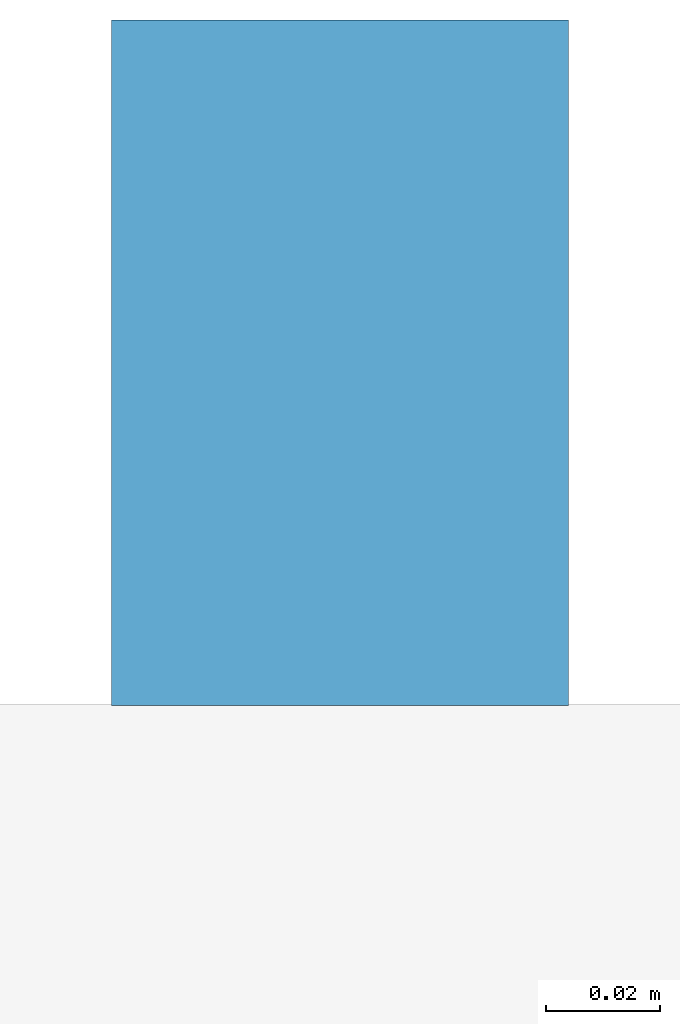
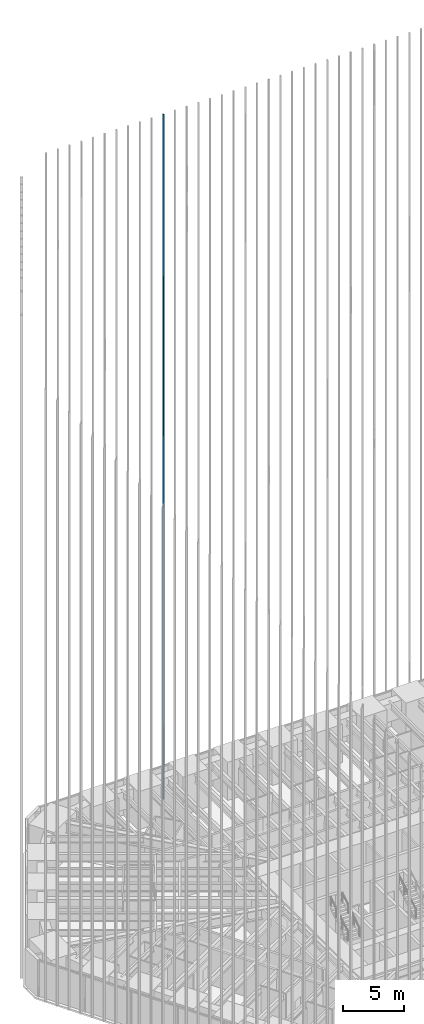
# One storey, part 179 of 256: 1 member, 1 element without a shape of its own.
"""IFC4 building model written with IfcOpenShell, lengths in metres."""

from ifc_helpers import new_model, si_unit, direction, frame, origin, origin_2d, place, context, subcontext, project, spatial, rectangle, extrude, material, material_profile, profile_set, type_object, element, aggregate, save


model = new_model("IFC4")

# Units and contexts
model_context = context("Model", 3, precision=1e-05, world=origin(), true_north=direction((0.0, 1.0)))
body_context = subcontext(model_context, "Body", "Model", "MODEL_VIEW")
ifc_project = project(units=[si_unit("LENGTHUNIT", "METRE"), si_unit("AREAUNIT", "SQUARE_METRE"), si_unit("VOLUMEUNIT", "CUBIC_METRE"), si_unit("PLANEANGLEUNIT", "RADIAN"), si_unit("MASSUNIT", "GRAM", prefix="KILO")], contexts=[model_context])

# Site, building, storey
site_placement = place(None, origin())
site = spatial("IfcSite", under=ifc_project, at=site_placement, CompositionType="ELEMENT")
building_placement = place(site_placement, origin())
building = spatial("IfcBuilding", under=site, at=building_placement, Name="Sandreach Pilgrim Tower", CompositionType="ELEMENT")
storey_placement = place(building_placement, frame((0.0, 0.0, 23.0)))
storey = spatial("IfcBuildingStorey", under=building, at=storey_placement, Name="L04", CompositionType="ELEMENT", Elevation=23.0)

# Curtain wall, member
ifc_material_1 = material(Name="Aluminium framed curtain wall", Category="aluminium")
curtain_wall_type = type_object("IfcCurtainWallType", Name="Hostel tower curtain wall", PredefinedType="NOTDEFINED", material=ifc_material_1)
curtain_wall_placement = place(storey_placement, origin())
curtain_wall = element("IfcCurtainWall", 1, at=curtain_wall_placement, inside=storey, type_object=curtain_wall_type, Name="CW-1 L04 N", PredefinedType="NOTDEFINED")
ifc_material_2 = material(Name="Extruded terracotta on aluminium core", Category="masonry")
ifc_material_profile = material_profile(ifc_material_2, rectangle(XDim=0.080078125, YDim=0.1201171875, at=origin_2d()), Name="TBN 80X120")
ifc_profile_set = profile_set([ifc_material_profile], Name="Extruded terracotta on aluminium core")
member_type = type_object("IfcMemberType", Name="Terracotta baguette north", PredefinedType="USERDEFINED", material=ifc_profile_set)
member_placement = place(storey_placement, frame((-7.731201171875, 24.30859375, 0.0), z_axis=(0.0, 0.0, 1.0), x_axis=(1.0, 0.0, 0.0)))
member = element("IfcMember", 2, at=member_placement, type_object=member_type, Name="Baguette Z1 N11", ObjectType="BAGUETTE", PredefinedType="USERDEFINED", context=body_context, shape_type="SweptSolid", body=[
    extrude(rectangle(XDim=0.080078125, YDim=0.1201171875, at=origin_2d()), origin(), (0.0, 0.0, 1.0), 68.239990234375),
])
aggregate(curtain_wall, [member])

save(model, "model.ifc")
